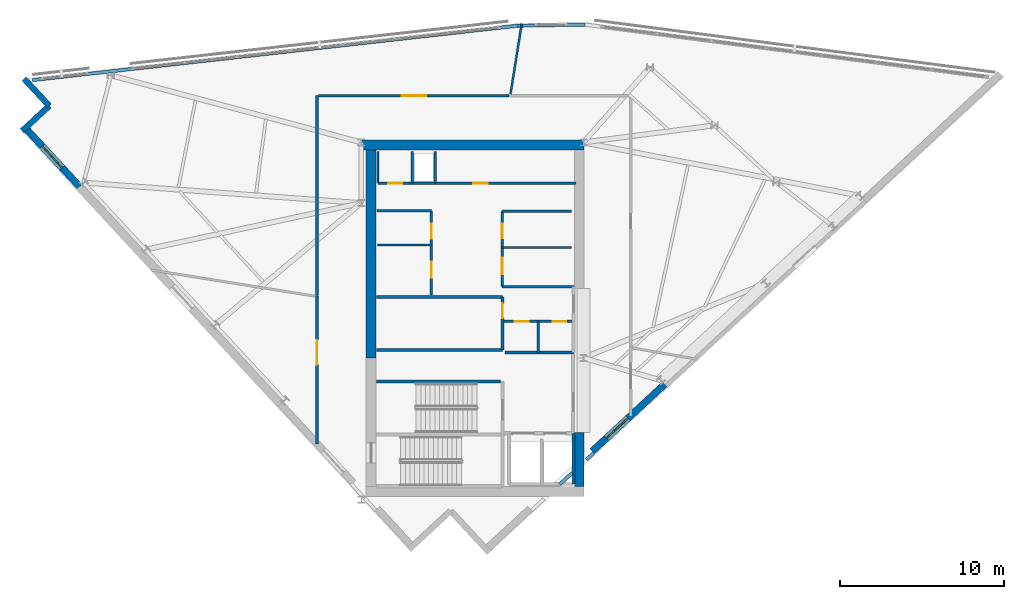
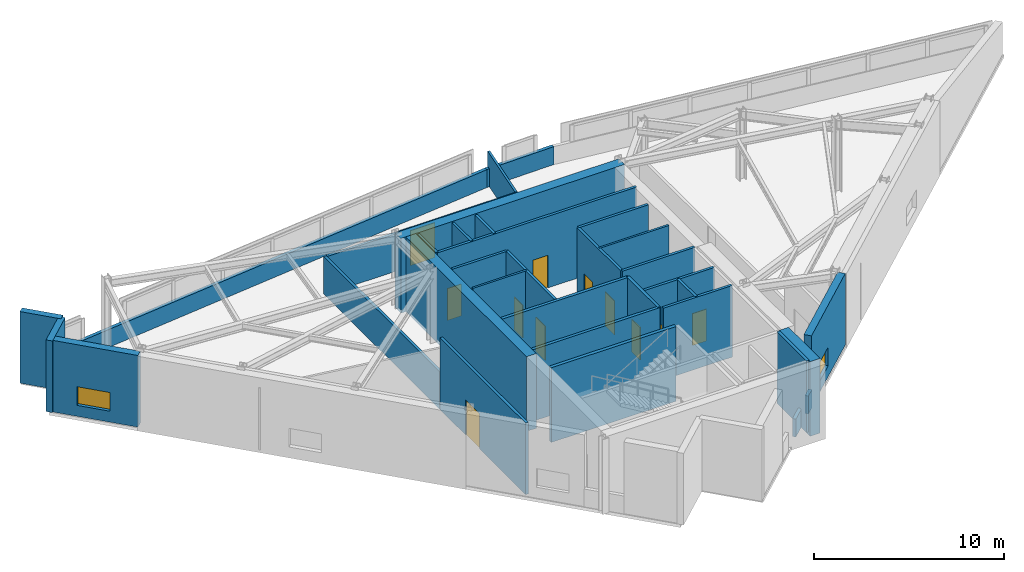
# One storey, part 9 of 12: 34 walls, 11 doors, 2 windows, 13 openings.
"""IFC4 building model written with IfcOpenShell, lengths in metres."""

from ifc_helpers import new_model, si_unit, direction, frame, frame_2d, origin, place, context, subcontext, project, spatial, polyline, rectangle, outline, extrude, material, layer, layer_set, type_object, element, fill, save


model = new_model("IFC4")

# Units and contexts
model_context = context("Model", 3, precision=1e-05, world=origin(), true_north=direction((0.0, 1.0)))
body_context = subcontext(model_context, "Body", "Model", "MODEL_VIEW")
ifc_project = project(units=[si_unit("LENGTHUNIT", "METRE"), si_unit("AREAUNIT", "SQUARE_METRE"), si_unit("VOLUMEUNIT", "CUBIC_METRE"), si_unit("PLANEANGLEUNIT", "RADIAN"), si_unit("MASSUNIT", "GRAM", prefix="KILO")], contexts=[model_context])

# Site, building, storey
site_placement = place(None, origin())
site = spatial("IfcSite", under=ifc_project, at=site_placement, CompositionType="ELEMENT")
building_placement = place(site_placement, origin())
building = spatial("IfcBuilding", under=site, at=building_placement, Name="Narakoshi Arena Tower", CompositionType="ELEMENT")
storey_placement = place(building_placement, frame((0.0, 0.0, 307.780029296875)))
storey = spatial("IfcBuildingStorey", under=building, at=storey_placement, Name="L83", CompositionType="ELEMENT", Elevation=307.780029296875)

# Walls
ifc_material_1 = material(Name="Concrete C50/60", Category="concrete")
ifc_layer_1 = layer(ifc_material_1, 0.60009765625)
ifc_layer_set_1 = layer_set([ifc_layer_1], Name="Concrete C50/60")
wall_type_1 = type_object("IfcWallType", Name="WL-CORE-600", PredefinedType="SHEAR", material=ifc_layer_set_1)
wall_1_placement = place(storey_placement, frame((85.300048828125, 35.5, -0.199951171875), z_axis=(0.0, 0.0, 1.0), x_axis=(0.0, 1.0, 0.0)))
element("IfcWall", 1, at=wall_1_placement, inside=storey, type_object=wall_type_1, Name="L83 Central Core Shear Wall CW-APX-E", PredefinedType="SHEAR", context=body_context, shape_type="SweptSolid", body=[
    extrude(rectangle(XDim=3.300048828125, YDim=0.60009765625, at=frame_2d((1.64990234375, 0.0))), origin(), (0.0, 0.0, 1.0), 4.7998046875),
])
wall_2_placement = place(storey_placement, frame((72.60009765625, 43.35009765625, -0.199951171875), z_axis=(0.0, 0.0, 1.0), x_axis=(0.0, 1.0, 0.0)))
element("IfcWall", 2, at=wall_2_placement, inside=storey, type_object=wall_type_1, Name="L83 Main Core Shear Wall CW-MN-W", PredefinedType="SHEAR", context=body_context, shape_type="SweptSolid", body=[
    extrude(rectangle(XDim=12.699951171875, YDim=0.60009765625, at=frame_2d((6.35009765625, 0.0))), origin(), (0.0, 0.0, 1.0), 4.7998046875),
])
wall_3_placement = place(storey_placement, frame((72.0, 56.35009765625, -0.199951171875), z_axis=(0.0, 0.0, 1.0), x_axis=(1.0, 0.0, 0.0)))
element("IfcWall", 3, at=wall_3_placement, inside=storey, type_object=wall_type_1, Name="L83 Main Core Shear Wall CW-MN-N", PredefinedType="SHEAR", context=body_context, shape_type="SweptSolid", body=[
    extrude(rectangle(XDim=13.60009765625, YDim=0.60009765625, at=frame_2d((6.800048828125, 0.0))), origin(), (0.0, 0.0, 1.0), 4.7998046875),
])

# Wall, opening, door
ifc_material_2 = material(Name="Gypsum plasterboard fire-rated partition")
ifc_layer_2 = layer(ifc_material_2, 0.1650390625)
ifc_layer_set_2 = layer_set([ifc_layer_2], Name="Gypsum plasterboard fire-rated partition")
wall_type_2 = type_object("IfcWallType", Name="WL-CORR-165", PredefinedType="PARTITIONING", material=ifc_layer_set_2)
wall_4_placement = place(storey_placement, frame((69.300048828125, 47.135009765625, 0.0), z_axis=(0.0, 0.0, 1.0), x_axis=(0.0, -1.0, 0.0)))
wall_4 = element("IfcWall", 4, at=wall_4_placement, inside=storey, type_object=wall_type_2, Name="L83 Corridor Partition 01-1", PredefinedType="PARTITIONING", context=body_context, shape_type="SweptSolid", body=[
    extrude(rectangle(XDim=9.02587890625, YDim=0.1650390625, at=frame_2d((4.512939453125, 0.0))), origin(), (0.0, 0.0, 1.0), 4.599853515625),
])
opening_1_placement = place(wall_4_placement, frame((2.694091796875, 0.0, 0.0)))
opening_1 = element("IfcOpeningElement", 5, at=opening_1_placement, cuts=wall_4, Name="Opening D-09", PredefinedType="OPENING", context=body_context, shape_type="SweptSolid", body=[
    extrude(rectangle(XDim=1.5, YDim=2.25, at=frame_2d((0.75, 1.125))), frame((0.0, 0.092529296875, 0.0), z_axis=(0.0, -1.0, 0.0), x_axis=(1.0, 0.0, 0.0)), (0.0, 0.0, 1.0), 0.18505859375),
])
ifc_material_3 = material(Name="Painted galvanized steel", Category="steel")
door_type_1 = type_object("IfcDoorType", Name="DR-PLT-1500", OperationType="DOUBLE_DOOR_SINGLE_SWING", PredefinedType="DOOR", material=ifc_material_3)
door_1_placement = place(opening_1_placement, frame((1.5, 0.0, 0.0), z_axis=(0.0, 0.0, 1.0), x_axis=(-1.0, 0.0, 0.0)))
door_1 = element("IfcDoor", 6, at=door_1_placement, inside=storey, type_object=door_type_1, Name="DR-L83-016", OperationType="DOUBLE_DOOR_SINGLE_SWING", OverallHeight=2.25, OverallWidth=1.5, PredefinedType="DOOR", context=body_context, shape_type="SweptSolid", body=[
    extrude(rectangle(XDim=1.5, YDim=2.25, at=frame_2d((0.75, 1.125))), frame((0.0, 0.02490234375, 0.0), z_axis=(0.0, -1.0, 0.0), x_axis=(1.0, 0.0, 0.0)), (0.0, 0.0, 1.0), 0.050048828125),
])
fill(opening_1, door_1)

# Wall
wall_5_placement = place(storey_placement, frame((69.300048828125, 59.35009765625, 0.0), z_axis=(0.0, 0.0, 1.0), x_axis=(0.0, -1.0, 0.0)))
element("IfcWall", 7, at=wall_5_placement, inside=storey, type_object=wall_type_2, Name="L83 Corridor Partition 04-1", PredefinedType="PARTITIONING", context=body_context, shape_type="SweptSolid", body=[
    extrude(rectangle(XDim=12.19091796875, YDim=0.1650390625, at=frame_2d((6.095458984375, 0.0))), origin(), (0.0, 0.0, 1.0), 2.41015625),
])

# Wall, opening, door
wall_6_placement = place(storey_placement, frame((81.027099609375, 59.35009765625, 0.0), z_axis=(0.0, 0.0, 1.0), x_axis=(-1.0, 0.0, 0.0)))
wall_6 = element("IfcWall", 8, at=wall_6_placement, inside=storey, type_object=wall_type_2, Name="L83 Corridor Partition 04-2", PredefinedType="PARTITIONING", context=body_context, shape_type="SweptSolid", body=[
    extrude(rectangle(XDim=11.632568359375, YDim=0.1650390625, at=frame_2d((5.81640625, 0.0))), origin(), (0.0, 0.0, 1.0), 2.41015625),
])
opening_2_placement = place(wall_6_placement, frame((5.06640625, 0.0, 0.0)))
opening_2 = element("IfcOpeningElement", 9, at=opening_2_placement, cuts=wall_6, Name="Opening D-09", PredefinedType="OPENING", context=body_context, shape_type="SweptSolid", body=[
    extrude(rectangle(XDim=1.5, YDim=2.25, at=frame_2d((0.75, 1.125))), frame((0.0, 0.092529296875, 0.0), z_axis=(0.0, -1.0, 0.0), x_axis=(1.0, 0.0, 0.0)), (0.0, 0.0, 1.0), 0.18505859375),
])
door_2_placement = place(opening_2_placement, frame((1.5, 0.0, 0.0), z_axis=(0.0, 0.0, 1.0), x_axis=(-1.0, 0.0, 0.0)))
door_2 = element("IfcDoor", 10, at=door_2_placement, inside=storey, type_object=door_type_1, Name="DR-L83-019", OperationType="DOUBLE_DOOR_SINGLE_SWING", OverallHeight=2.25, OverallWidth=1.5, PredefinedType="DOOR", context=body_context, shape_type="SweptSolid", body=[
    extrude(rectangle(XDim=1.5, YDim=2.25, at=frame_2d((0.75, 1.125))), frame((0.0, 0.02490234375, 0.0), z_axis=(0.0, -1.0, 0.0), x_axis=(1.0, 0.0, 0.0)), (0.0, 0.0, 1.0), 0.050048828125),
])
fill(opening_2, door_2)

# Walls
ifc_material_4 = material(Name="Precast concrete C45/55", Category="concrete")
ifc_layer_3 = layer(ifc_material_4, 0.25)
ifc_layer_set_3 = layer_set([ifc_layer_3], Name="Precast concrete C45/55")
wall_type_3 = type_object("IfcWallType", Name="WL-PARA-250", PredefinedType="PARAPET", material=ifc_layer_set_3)
wall_7_placement = place(storey_placement, frame((51.936279296875, 60.3037109375, 0.0), z_axis=(0.0, 0.0, 1.0), x_axis=(0.993776757355, 0.111390109707, 0.0)))
element("IfcWall", 11, at=wall_7_placement, inside=storey, type_object=wall_type_3, Name="L83 Crown Sill Upstand Parapet 03", PredefinedType="PARAPET", context=body_context, shape_type="SweptSolid", body=[
    extrude(rectangle(XDim=29.797119140625, YDim=0.199951171875, at=frame_2d((14.8984375, 0.0))), origin(), (0.0, 0.0, 1.0), 1.14990234375),
])
wall_8_placement = place(storey_placement, frame((81.5478515625, 63.622802734375, 0.0), z_axis=(0.0, 0.0, 1.0), x_axis=(0.999864385141, 0.016468494975, 0.0)))
element("IfcWall", 12, at=wall_8_placement, inside=storey, type_object=wall_type_3, Name="L83 Crown Sill Upstand Parapet 04", PredefinedType="PARAPET", context=body_context, shape_type="SweptSolid", body=[
    extrude(rectangle(XDim=4.091552734375, YDim=0.199951171875, at=frame_2d((2.0458984375, 0.0))), origin(), (0.0, 0.0, 1.0), 1.14990234375),
])
wall_9_placement = place(storey_placement, frame((86.191650390625, 37.56591796875, 0.0), z_axis=(0.0, 0.0, 1.0), x_axis=(-0.734346728958, -0.678774544064, 0.0)))
element("IfcWall", 13, at=wall_9_placement, inside=storey, type_object=wall_type_3, Name="L83 Crown Sill Upstand Parapet 06", PredefinedType="PARAPET", context=body_context, shape_type="SweptSolid", body=[
    extrude(rectangle(XDim=0.614990234375, YDim=0.199951171875, at=frame_2d((0.3076171875, 0.0))), origin(), (0.0, 0.0, 1.0), 1.14990234375),
])
wall_10_placement = place(storey_placement, frame((84.860107421875, 36.3349609375, 0.0), z_axis=(0.0, 0.0, 1.0), x_axis=(-0.734337093013, -0.678784968768, 0.0)))
element("IfcWall", 14, at=wall_10_placement, inside=storey, type_object=wall_type_3, Name="L83 Crown Sill Upstand Parapet 07", PredefinedType="PARAPET", context=body_context, shape_type="SweptSolid", body=[
    extrude(rectangle(XDim=1.02392578125, YDim=0.199951171875, at=frame_2d((0.511962890625, 0.0))), origin(), (0.0, 0.0, 1.0), 1.14990234375),
])
ifc_layer_4 = layer(ifc_material_2, 0.125)
ifc_layer_set_4 = layer_set([ifc_layer_4], Name="Gypsum plasterboard fire-rated partition")
wall_type_4 = type_object("IfcWallType", Name="WL-PART-125", PredefinedType="PARTITIONING", material=ifc_layer_set_4)
wall_11_placement = place(storey_placement, frame((73.0, 50.25, 0.0), z_axis=(0.0, 0.0, 1.0), x_axis=(1.0, 0.0, 0.0)))
element("IfcWall", 15, at=wall_11_placement, inside=storey, type_object=wall_type_4, Name="L83 Core Wall RCL-LR-D2", PredefinedType="PARTITIONING", context=body_context, shape_type="SweptSolid", body=[
    extrude(rectangle(XDim=3.280029296875, YDim=0.125, at=frame_2d((1.64013671875, 0.0))), origin(), (0.0, 0.0, 1.0), 4.599853515625),
])
wall_12_placement = place(storey_placement, frame((80.60009765625, 50.10009765625, 0.0), z_axis=(0.0, 0.0, 1.0), x_axis=(1.0, 0.0, 0.0)))
element("IfcWall", 16, at=wall_12_placement, inside=storey, type_object=wall_type_4, Name="L83 Core Wall RCL-MR-D", PredefinedType="PARTITIONING", context=body_context, shape_type="SweptSolid", body=[
    extrude(rectangle(XDim=4.219970703125, YDim=0.125, at=frame_2d((2.10986328125, 0.0))), origin(), (0.0, 0.0, 1.0), 4.599853515625),
])
wall_13_placement = place(storey_placement, frame((81.10302734375, 59.444580078125, 0.0), z_axis=(0.0, 0.0, 1.0), x_axis=(0.157403116277, 0.987534434329, 0.0)))
element("IfcWall", 17, at=wall_13_placement, inside=storey, type_object=wall_type_4, Name="L83 Inter-Room Partition 03-04", PredefinedType="PARTITIONING", context=body_context, shape_type="SweptSolid", body=[
    extrude(rectangle(XDim=4.376953125, YDim=0.125, at=frame_2d((2.1884765625, 0.0))), origin(), (0.0, 0.0, 1.0), 2.119873046875),
])

# Wall, opening, window
ifc_layer_5 = layer(ifc_material_4, 0.419921875)
ifc_layer_set_5 = layer_set([ifc_layer_5], Name="Precast concrete C45/55")
wall_type_5 = type_object("IfcWallType", Name="WL-POD-420", PredefinedType="SOLIDWALL", material=ifc_layer_set_5)
wall_14_placement = place(storey_placement, frame((86.10009765625, 37.6650390625, 0.0), z_axis=(0.0, 0.0, 1.0), x_axis=(0.734321413343, 0.678801931277, 0.0)))
wall_14 = element("IfcWall", 18, at=wall_14_placement, inside=storey, type_object=wall_type_5, Name="L83 Architectural Concrete Facade Wall LEGA-2", PredefinedType="SOLIDWALL", context=body_context, shape_type="SweptSolid", body=[
    extrude(outline(polyline([(0.0, 0.0), (6.00244140625, 0.0), (6.00244140625, 4.599853515625), (0.0, 4.599853515625), (0.0, 0.0)])), frame((0.0, 0.2099609375, 0.0), z_axis=(0.0, -1.0, 0.0), x_axis=(1.0, 0.0, 0.0)), (0.0, 0.0, 1.0), 0.419921875),
])
opening_3_placement = place(wall_14_placement, frame((1.169189453125, 0.0, 0.699951171875)))
opening_3 = element("IfcOpeningElement", 19, at=opening_3_placement, cuts=wall_14, Name="Opening WN-05", PredefinedType="OPENING", context=body_context, shape_type="SweptSolid", body=[
    extrude(rectangle(XDim=1.800048828125, YDim=1.199951171875, at=frame_2d((0.89990234375, 0.60009765625))), frame((0.0, 0.219970703125, 0.0), z_axis=(0.0, -1.0, 0.0), x_axis=(1.0, 0.0, 0.0)), (0.0, 0.0, 1.0), 0.43994140625),
])
ifc_material_5 = material(Name="Bronze-tinted low-E laminated glass", Category="glass")
window_type = type_object("IfcWindowType", Name="WIN-SLT-18x12", PartitioningType="SINGLE_PANEL", PredefinedType="WINDOW", material=ifc_material_5)
window_1_placement = place(opening_3_placement, origin())
window_1 = element("IfcWindow", 20, at=window_1_placement, inside=storey, type_object=window_type, Name="L83 LEGA2 Horizontal Slot Window 1", OverallHeight=1.199951171875, OverallWidth=1.800048828125, PartitioningType="SINGLE_PANEL", PredefinedType="WINDOW", context=body_context, shape_type="SweptSolid", body=[
    extrude(rectangle(XDim=1.800048828125, YDim=1.199951171875, at=frame_2d((0.89990234375, 0.60009765625))), frame((0.0, 0.030029296875, 0.0), z_axis=(0.0, -1.0, 0.0), x_axis=(1.0, 0.0, 0.0)), (0.0, 0.0, 1.0), 0.06005859375),
])
fill(opening_3, window_1)

wall_15_placement = place(storey_placement, frame((51.5, 57.38720703125, 0.0), z_axis=(0.0, 0.0, 1.0), x_axis=(0.67880684669, -0.734316869537, 0.0)))
wall_15 = element("IfcWall", 21, at=wall_15_placement, inside=storey, type_object=wall_type_5, Name="L83 Architectural Concrete Facade Wall LEGB-1", PredefinedType="SOLIDWALL", context=body_context, shape_type="SweptSolid", body=[
    extrude(outline(polyline([(0.0, 0.0), (4.86865234375, 0.0), (4.868408203125, 4.599853515625), (0.0, 4.599853515625), (0.0, 0.0)])), frame((0.0, 0.2099609375, 0.0), z_axis=(0.0, -1.0, 0.0), x_axis=(1.0, 0.0, 0.0)), (0.0, 0.0, 1.0), 0.419921875),
])
opening_4_placement = place(wall_15_placement, frame((1.51708984375, 0.0, 0.699951171875)))
opening_4 = element("IfcOpeningElement", 22, at=opening_4_placement, cuts=wall_15, Name="Opening WN-05", PredefinedType="OPENING", context=body_context, shape_type="SweptSolid", body=[
    extrude(rectangle(XDim=1.800048828125, YDim=1.199951171875, at=frame_2d((0.89990234375, 0.60009765625))), frame((0.0, 0.219970703125, 0.0), z_axis=(0.0, -1.0, 0.0), x_axis=(1.0, 0.0, 0.0)), (0.0, 0.0, 1.0), 0.43994140625),
])
window_2_placement = place(opening_4_placement, origin())
window_2 = element("IfcWindow", 23, at=window_2_placement, inside=storey, type_object=window_type, Name="L83 LEGB1 Horizontal Slot Window 1", OverallHeight=1.199951171875, OverallWidth=1.800048828125, PartitioningType="SINGLE_PANEL", PredefinedType="WINDOW", context=body_context, shape_type="SweptSolid", body=[
    extrude(rectangle(XDim=1.800048828125, YDim=1.199951171875, at=frame_2d((0.89990234375, 0.60009765625))), frame((0.0, 0.030029296875, 0.0), z_axis=(0.0, -1.0, 0.0), x_axis=(1.0, 0.0, 0.0)), (0.0, 0.0, 1.0), 0.06005859375),
])
fill(opening_4, window_2)

# Walls
for number, where, z_axis, x_axis, name in (
    (24, (51.42333984375, 60.38720703125, 0.0), (0.0, 0.0, 1.0), (0.678792531533, -0.734330102294, 0.0), "L83 Re-Entrant Corner Notch Wall NTN-1"),
    (25, (52.9541015625, 58.731201171875, 0.0), (0.0, 0.0, 1.0), (-0.734330102294, -0.678792531533, 0.0), "L83 Re-Entrant Corner Notch Wall NTN-2"),
):
    element("IfcWall", number, at=place(storey_placement, frame(where, z_axis=z_axis, x_axis=x_axis)), inside=storey, type_object=wall_type_5, Name=name, PredefinedType="SOLIDWALL", context=body_context, shape_type="SweptSolid", body=[
        extrude(rectangle(XDim=2.255126953125, YDim=0.360107421875, at=frame_2d((1.12744140625, 0.0))), origin(), (0.0, 0.0, 1.0), 4.599853515625),
    ])
ifc_material_6 = material(Name="Concrete C40/50", Category="concrete")
ifc_layer_6 = layer(ifc_material_6, 0.280029296875)
ifc_layer_set_6 = layer_set([ifc_layer_6], Name="Concrete C40/50")
wall_type_6 = type_object("IfcWallType", Name="WL-RISER-280", PredefinedType="PLUMBINGWALL", material=ifc_layer_set_6)
wall_16_placement = place(storey_placement, frame((72.919921875, 43.830078125, 0.0), z_axis=(0.0, 0.0, 1.0), x_axis=(1.0, 0.0, 0.0)))
element("IfcWall", 26, at=wall_16_placement, inside=storey, type_object=wall_type_6, Name="L83 Core Wall CST-S", PredefinedType="PLUMBINGWALL", context=body_context, shape_type="SweptSolid", body=[
    extrude(rectangle(XDim=7.7001953125, YDim=0.179931640625, at=frame_2d((3.85009765625, 0.0))), origin(), (0.0, 0.0, 1.0), 4.599853515625),
])

# Wall, opening, door
wall_17_placement = place(storey_placement, frame((80.6201171875, 43.830078125, 0.0), z_axis=(0.0, 0.0, 1.0), x_axis=(0.0, 1.0, 0.0)))
wall_17 = element("IfcWall", 27, at=wall_17_placement, inside=storey, type_object=wall_type_6, Name="L83 Core Wall CST-E", PredefinedType="PLUMBINGWALL", context=body_context, shape_type="SweptSolid", body=[
    extrude(rectangle(XDim=3.239990234375, YDim=0.179931640625, at=frame_2d((1.6201171875, 0.0))), origin(), (0.0, 0.0, 1.0), 4.599853515625),
])
opening_5_placement = place(wall_17_placement, frame((1.949951171875, 0.0, 0.0)))
opening_5 = element("IfcOpeningElement", 28, at=opening_5_placement, cuts=wall_17, Name="Opening D-08", PredefinedType="OPENING", context=body_context, shape_type="SweptSolid", body=[
    extrude(rectangle(XDim=0.89990234375, YDim=2.10009765625, at=frame_2d((0.449951171875, 1.050048828125))), frame((0.0, 0.099853515625, 0.0), z_axis=(0.0, -1.0, 0.0), x_axis=(1.0, 0.0, 0.0)), (0.0, 0.0, 1.0), 0.199951171875),
])
ifc_material_7 = material(Name="Moisture-resistant laminate timber", Category="wood")
door_type_2 = type_object("IfcDoorType", Name="DR-WC-900", OperationType="NOTDEFINED", PredefinedType="DOOR", material=ifc_material_7)
door_3_placement = place(opening_5_placement, frame((0.89990234375, 0.0, 0.0), z_axis=(0.0, 0.0, 1.0), x_axis=(-1.0, 0.0, 0.0)))
door_3 = element("IfcDoor", 29, at=door_3_placement, inside=storey, type_object=door_type_2, Name="DR-L83-006", OperationType="SINGLE_SWING_RIGHT", OverallHeight=2.10009765625, OverallWidth=0.89990234375, PredefinedType="DOOR", context=body_context, shape_type="SweptSolid", body=[
    extrude(rectangle(XDim=0.89990234375, YDim=2.10009765625, at=frame_2d((0.449951171875, 1.050048828125))), frame((0.0, 0.02490234375, 0.0), z_axis=(0.0, -1.0, 0.0), x_axis=(1.0, 0.0, 0.0)), (0.0, 0.0, 1.0), 0.050048828125),
])
fill(opening_5, door_3)

# Wall
wall_18_placement = place(storey_placement, frame((72.919921875, 47.070068359375, 0.0), z_axis=(0.0, 0.0, 1.0), x_axis=(1.0, 0.0, 0.0)))
element("IfcWall", 30, at=wall_18_placement, inside=storey, type_object=wall_type_6, Name="L83 Core Wall CST-N", PredefinedType="PLUMBINGWALL", context=body_context, shape_type="SweptSolid", body=[
    extrude(rectangle(XDim=7.7001953125, YDim=0.179931640625, at=frame_2d((3.85009765625, 0.0))), origin(), (0.0, 0.0, 1.0), 4.599853515625),
])

# Wall, openings, doors
wall_19_placement = place(storey_placement, frame((80.719970703125, 45.580078125, 0.0), z_axis=(0.0, 0.0, 1.0), x_axis=(1.0, 0.0, 0.0)))
wall_19 = element("IfcWall", 31, at=wall_19_placement, inside=storey, type_object=wall_type_6, Name="L83 Core Wall RSR-N", PredefinedType="PLUMBINGWALL", context=body_context, shape_type="SweptSolid", body=[
    extrude(rectangle(XDim=4.22998046875, YDim=0.159912109375, at=frame_2d((2.114990234375, 0.0))), origin(), (0.0, 0.0, 1.0), 4.599853515625),
])
opening_6_placement = place(wall_19_placement, frame((0.64990234375, 0.0, 0.0)))
opening_6 = element("IfcOpeningElement", 32, at=opening_6_placement, cuts=wall_19, Name="Opening D-10", PredefinedType="OPENING", context=body_context, shape_type="SweptSolid", body=[
    extrude(rectangle(XDim=0.85009765625, YDim=2.050048828125, at=frame_2d((0.425048828125, 1.02490234375))), frame((0.0, 0.08984375, 0.0), z_axis=(0.0, -1.0, 0.0), x_axis=(1.0, 0.0, 0.0)), (0.0, 0.0, 1.0), 0.179931640625),
])
opening_7_placement = place(wall_19_placement, frame((2.949951171875, 0.0, 0.0)))
opening_7 = element("IfcOpeningElement", 33, at=opening_7_placement, cuts=wall_19, Name="Opening D-10", PredefinedType="OPENING", context=body_context, shape_type="SweptSolid", body=[
    extrude(rectangle(XDim=0.85009765625, YDim=2.050048828125, at=frame_2d((0.425048828125, 1.02490234375))), frame((0.0, 0.08984375, 0.0), z_axis=(0.0, -1.0, 0.0), x_axis=(1.0, 0.0, 0.0)), (0.0, 0.0, 1.0), 0.179931640625),
])
door_type_3 = type_object("IfcDoorType", Name="DR-RSR-850", OperationType="NOTDEFINED", PredefinedType="DOOR", material=ifc_material_3)
door_4_placement = place(opening_6_placement, frame((0.85009765625, 0.0, 0.0), z_axis=(0.0, 0.0, 1.0), x_axis=(-1.0, 0.0, 0.0)))
door_4 = element("IfcDoor", 34, at=door_4_placement, inside=storey, type_object=door_type_3, Name="DR-L83-008", OperationType="SINGLE_SWING_LEFT", OverallHeight=2.050048828125, OverallWidth=0.85009765625, PredefinedType="DOOR", context=body_context, shape_type="SweptSolid", body=[
    extrude(rectangle(XDim=0.85009765625, YDim=2.050048828125, at=frame_2d((0.425048828125, 1.02490234375))), frame((0.0, 0.02490234375, 0.0), z_axis=(0.0, -1.0, 0.0), x_axis=(1.0, 0.0, 0.0)), (0.0, 0.0, 1.0), 0.050048828125),
])
fill(opening_6, door_4)
door_5_placement = place(opening_7_placement, frame((0.85009765625, 0.0, 0.0), z_axis=(0.0, 0.0, 1.0), x_axis=(-1.0, 0.0, 0.0)))
door_5 = element("IfcDoor", 35, at=door_5_placement, inside=storey, type_object=door_type_3, Name="DR-L83-009", OperationType="SINGLE_SWING_RIGHT", OverallHeight=2.050048828125, OverallWidth=0.85009765625, PredefinedType="DOOR", context=body_context, shape_type="SweptSolid", body=[
    extrude(rectangle(XDim=0.85009765625, YDim=2.050048828125, at=frame_2d((0.425048828125, 1.02490234375))), frame((0.0, 0.02490234375, 0.0), z_axis=(0.0, -1.0, 0.0), x_axis=(1.0, 0.0, 0.0)), (0.0, 0.0, 1.0), 0.050048828125),
])
fill(opening_7, door_5)

# Walls
wall_20_placement = place(storey_placement, frame((80.760009765625, 43.679931640625, 0.0), z_axis=(0.0, 0.0, 1.0), x_axis=(1.0, 0.0, 0.0)))
element("IfcWall", 36, at=wall_20_placement, inside=storey, type_object=wall_type_6, Name="L83 Core Wall RSR-S", PredefinedType="PLUMBINGWALL", context=body_context, shape_type="SweptSolid", body=[
    extrude(rectangle(XDim=4.18994140625, YDim=0.159912109375, at=frame_2d((2.094970703125, 0.0))), origin(), (0.0, 0.0, 1.0), 4.599853515625),
])
wall_21_placement = place(storey_placement, frame((82.800048828125, 43.679931640625, 0.0), z_axis=(0.0, 0.0, 1.0), x_axis=(0.0, 1.0, 0.0)))
element("IfcWall", 37, at=wall_21_placement, inside=storey, type_object=wall_type_6, Name="L83 Core Wall RSR-M", PredefinedType="PLUMBINGWALL", context=body_context, shape_type="SweptSolid", body=[
    extrude(rectangle(XDim=1.900146484375, YDim=0.159912109375, at=frame_2d((0.9501953125, 0.0))), origin(), (0.0, 0.0, 1.0), 4.599853515625),
])
for number, where, z_axis, x_axis, name in (
    (38, (73.02001953125, 54.02001953125, 0.0), (0.0, 0.0, 1.0), (0.0, 1.0, 0.0), "L83 Core Wall OBS-W"),
    (39, (75.1201171875, 54.02001953125, 0.0), (0.0, 0.0, 1.0), (0.0, 1.0, 0.0), "L83 Core Wall OBS-M"),
    (40, (76.52001953125, 54.02001953125, 0.0), (0.0, 0.0, 1.0), (0.0, 1.0, 0.0), "L83 Core Wall OBS-E"),
):
    element("IfcWall", number, at=place(storey_placement, frame(where, z_axis=z_axis, x_axis=x_axis)), inside=storey, type_object=wall_type_6, Name=name, PredefinedType="PLUMBINGWALL", context=body_context, shape_type="SweptSolid", body=[
        extrude(rectangle(XDim=1.93994140625, YDim=0.14990234375, at=frame_2d((0.969970703125, 0.0))), origin(), (0.0, 0.0, 1.0), 4.599853515625),
    ])
ifc_layer_7 = layer(ifc_material_1, 0.35009765625)
ifc_layer_set_7 = layer_set([ifc_layer_7], Name="Concrete C50/60")
wall_type_7 = type_object("IfcWallType", Name="WL-SHAFT-350", PredefinedType="SOLIDWALL", material=ifc_layer_set_7)
wall_22_placement = place(storey_placement, frame((84.949951171875, 35.64990234375, 0.0), z_axis=(0.0, 0.0, 1.0), x_axis=(0.0, 1.0, 0.0)))
element("IfcWall", 41, at=wall_22_placement, inside=storey, type_object=wall_type_7, Name="L83 Core Wall FF-E", PredefinedType="SOLIDWALL", context=body_context, shape_type="SweptSolid", body=[
    extrude(rectangle(XDim=3.10009765625, YDim=0.179931640625, at=frame_2d((1.550048828125, 0.0))), origin(), (0.0, 0.0, 1.0), 4.599853515625),
])
wall_23_placement = place(storey_placement, frame((72.919921875, 41.919921875, -0.199951171875), z_axis=(0.0, 0.0, 1.0), x_axis=(1.0, 0.0, 0.0)))
element("IfcWall", 42, at=wall_23_placement, inside=storey, type_object=wall_type_7, Name="L83 Core Wall ST2-N", PredefinedType="SOLIDWALL", context=body_context, shape_type="SweptSolid", body=[
    extrude(rectangle(XDim=7.580078125, YDim=0.199951171875, at=frame_2d((3.7900390625, 0.0))), origin(), (0.0, 0.0, 1.0), 4.7998046875),
])

# Wall, openings, doors
wall_24_placement = place(storey_placement, frame((76.280029296875, 47.179931640625, 0.0), z_axis=(0.0, 0.0, 1.0), x_axis=(0.0, 1.0, 0.0)))
wall_24 = element("IfcWall", 43, at=wall_24_placement, inside=storey, type_object=wall_type_7, Name="L83 Core Wall LR-E", PredefinedType="SOLIDWALL", context=body_context, shape_type="SweptSolid", body=[
    extrude(rectangle(XDim=5.14013671875, YDim=0.159912109375, at=frame_2d((2.570068359375, 0.0))), origin(), (0.0, 0.0, 1.0), 4.599853515625),
])
opening_8_placement = place(wall_24_placement, frame((1.050048828125, 0.0, 0.0)))
opening_8 = element("IfcOpeningElement", 44, at=opening_8_placement, cuts=wall_24, Name="Opening D-06", PredefinedType="OPENING", context=body_context, shape_type="SweptSolid", body=[
    extrude(rectangle(XDim=1.0, YDim=2.199951171875, at=frame_2d((0.5, 1.10009765625))), frame((0.0, 0.08984375, 0.0), z_axis=(0.0, -1.0, 0.0), x_axis=(1.0, 0.0, 0.0)), (0.0, 0.0, 1.0), 0.179931640625),
])
opening_9_placement = place(wall_24_placement, frame((3.449951171875, 0.0, 0.0)))
opening_9 = element("IfcOpeningElement", 45, at=opening_9_placement, cuts=wall_24, Name="Opening D-08", PredefinedType="OPENING", context=body_context, shape_type="SweptSolid", body=[
    extrude(rectangle(XDim=0.89990234375, YDim=2.10009765625, at=frame_2d((0.449951171875, 1.050048828125))), frame((0.0, 0.08984375, 0.0), z_axis=(0.0, -1.0, 0.0), x_axis=(1.0, 0.0, 0.0)), (0.0, 0.0, 1.0), 0.179931640625),
])
ifc_material_8 = material(Name="Stained oak solid-core timber", Category="wood")
door_type_4 = type_object("IfcDoorType", Name="DR-OFF-1000", OperationType="NOTDEFINED", PredefinedType="DOOR", material=ifc_material_8)
door_6_placement = place(opening_8_placement, frame((1.0, 0.0, 0.0), z_axis=(0.0, 0.0, 1.0), x_axis=(-1.0, 0.0, 0.0)))
door_6 = element("IfcDoor", 46, at=door_6_placement, inside=storey, type_object=door_type_4, Name="DR-L83-010", OperationType="SINGLE_SWING_RIGHT", OverallHeight=2.199951171875, OverallWidth=1.0, PredefinedType="DOOR", context=body_context, shape_type="SweptSolid", body=[
    extrude(rectangle(XDim=1.0, YDim=2.199951171875, at=frame_2d((0.5, 1.10009765625))), frame((0.0, 0.02490234375, 0.0), z_axis=(0.0, -1.0, 0.0), x_axis=(1.0, 0.0, 0.0)), (0.0, 0.0, 1.0), 0.050048828125),
])
fill(opening_8, door_6)
door_7_placement = place(opening_9_placement, frame((0.89990234375, 0.0, 0.0), z_axis=(0.0, 0.0, 1.0), x_axis=(-1.0, 0.0, 0.0)))
door_7 = element("IfcDoor", 47, at=door_7_placement, inside=storey, type_object=door_type_2, Name="DR-L83-011", OperationType="SINGLE_SWING_LEFT", OverallHeight=2.10009765625, OverallWidth=0.89990234375, PredefinedType="DOOR", context=body_context, shape_type="SweptSolid", body=[
    extrude(rectangle(XDim=0.89990234375, YDim=2.10009765625, at=frame_2d((0.449951171875, 1.050048828125))), frame((0.0, 0.02490234375, 0.0), z_axis=(0.0, -1.0, 0.0), x_axis=(1.0, 0.0, 0.0)), (0.0, 0.0, 1.0), 0.050048828125),
])
fill(opening_9, door_7)

# Wall
wall_25_placement = place(storey_placement, frame((72.949951171875, 52.320068359375, 0.0), z_axis=(0.0, 0.0, 1.0), x_axis=(1.0, 0.0, 0.0)))
element("IfcWall", 48, at=wall_25_placement, inside=storey, type_object=wall_type_7, Name="L83 Core Wall LR-N", PredefinedType="SOLIDWALL", context=body_context, shape_type="SweptSolid", body=[
    extrude(rectangle(XDim=3.330078125, YDim=0.14990234375, at=frame_2d((1.6650390625, 0.0))), origin(), (0.0, 0.0, 1.0), 4.599853515625),
])

# Wall, openings, doors
wall_26_placement = place(storey_placement, frame((80.60009765625, 47.699951171875, 0.0), z_axis=(0.0, 0.0, 1.0), x_axis=(0.0, 1.0, 0.0)))
wall_26 = element("IfcWall", 49, at=wall_26_placement, inside=storey, type_object=wall_type_7, Name="L83 Core Wall MR-W", PredefinedType="SOLIDWALL", context=body_context, shape_type="SweptSolid", body=[
    extrude(rectangle(XDim=4.60009765625, YDim=0.159912109375, at=frame_2d((2.300048828125, 0.0))), origin(), (0.0, 0.0, 1.0), 4.599853515625),
])
opening_10_placement = place(wall_26_placement, frame((0.75, 0.0, 0.0)))
opening_10 = element("IfcOpeningElement", 50, at=opening_10_placement, cuts=wall_26, Name="Opening D-06", PredefinedType="OPENING", context=body_context, shape_type="SweptSolid", body=[
    extrude(rectangle(XDim=1.0, YDim=2.199951171875, at=frame_2d((0.5, 1.10009765625))), frame((0.0, 0.08984375, 0.0), z_axis=(0.0, -1.0, 0.0), x_axis=(1.0, 0.0, 0.0)), (0.0, 0.0, 1.0), 0.179931640625),
])
opening_11_placement = place(wall_26_placement, frame((2.949951171875, 0.0, 0.0)))
opening_11 = element("IfcOpeningElement", 51, at=opening_11_placement, cuts=wall_26, Name="Opening D-08", PredefinedType="OPENING", context=body_context, shape_type="SweptSolid", body=[
    extrude(rectangle(XDim=0.89990234375, YDim=2.10009765625, at=frame_2d((0.449951171875, 1.050048828125))), frame((0.0, 0.08984375, 0.0), z_axis=(0.0, -1.0, 0.0), x_axis=(1.0, 0.0, 0.0)), (0.0, 0.0, 1.0), 0.179931640625),
])
door_8_placement = place(opening_10_placement, origin())
door_8 = element("IfcDoor", 52, at=door_8_placement, inside=storey, type_object=door_type_4, Name="DR-L83-012", OperationType="SINGLE_SWING_RIGHT", OverallHeight=2.199951171875, OverallWidth=1.0, PredefinedType="DOOR", context=body_context, shape_type="SweptSolid", body=[
    extrude(rectangle(XDim=1.0, YDim=2.199951171875, at=frame_2d((0.5, 1.10009765625))), frame((0.0, 0.02490234375, 0.0), z_axis=(0.0, -1.0, 0.0), x_axis=(1.0, 0.0, 0.0)), (0.0, 0.0, 1.0), 0.050048828125),
])
fill(opening_10, door_8)
door_9_placement = place(opening_11_placement, origin())
door_9 = element("IfcDoor", 53, at=door_9_placement, inside=storey, type_object=door_type_2, Name="DR-L83-013", OperationType="SINGLE_SWING_LEFT", OverallHeight=2.10009765625, OverallWidth=0.89990234375, PredefinedType="DOOR", context=body_context, shape_type="SweptSolid", body=[
    extrude(rectangle(XDim=0.89990234375, YDim=2.10009765625, at=frame_2d((0.449951171875, 1.050048828125))), frame((0.0, 0.02490234375, 0.0), z_axis=(0.0, -1.0, 0.0), x_axis=(1.0, 0.0, 0.0)), (0.0, 0.0, 1.0), 0.050048828125),
])
fill(opening_11, door_9)

# Walls
wall_27_placement = place(storey_placement, frame((80.60009765625, 47.699951171875, 0.0), z_axis=(0.0, 0.0, 1.0), x_axis=(1.0, 0.0, 0.0)))
element("IfcWall", 54, at=wall_27_placement, inside=storey, type_object=wall_type_7, Name="L83 Core Wall MR-S", PredefinedType="SOLIDWALL", context=body_context, shape_type="SweptSolid", body=[
    extrude(rectangle(XDim=4.39990234375, YDim=0.159912109375, at=frame_2d((2.199951171875, 0.0))), origin(), (0.0, 0.0, 1.0), 4.599853515625),
])
wall_28_placement = place(storey_placement, frame((80.60009765625, 52.300048828125, 0.0), z_axis=(0.0, 0.0, 1.0), x_axis=(1.0, 0.0, 0.0)))
element("IfcWall", 55, at=wall_28_placement, inside=storey, type_object=wall_type_7, Name="L83 Core Wall MR-N", PredefinedType="SOLIDWALL", context=body_context, shape_type="SweptSolid", body=[
    extrude(rectangle(XDim=4.219970703125, YDim=0.159912109375, at=frame_2d((2.10986328125, 0.0))), origin(), (0.0, 0.0, 1.0), 4.599853515625),
])

# Wall, openings, doors
wall_29_placement = place(storey_placement, frame((73.02001953125, 54.02001953125, 0.0), z_axis=(0.0, 0.0, 1.0), x_axis=(1.0, 0.0, 0.0)))
wall_29 = element("IfcWall", 56, at=wall_29_placement, inside=storey, type_object=wall_type_7, Name="L83 Core Wall NSHF-S", PredefinedType="SOLIDWALL", context=body_context, shape_type="SweptSolid", body=[
    extrude(rectangle(XDim=12.080078125, YDim=0.159912109375, at=frame_2d((6.0400390625, 0.0))), origin(), (0.0, 0.0, 1.0), 4.599853515625),
])
opening_12_placement = place(wall_29_placement, frame((0.6201171875, 0.0, 0.0)))
opening_12 = element("IfcOpeningElement", 57, at=opening_12_placement, cuts=wall_29, Name="Opening D-10", PredefinedType="OPENING", context=body_context, shape_type="SweptSolid", body=[
    extrude(rectangle(XDim=0.85009765625, YDim=2.050048828125, at=frame_2d((0.425048828125, 1.02490234375))), frame((0.0, 0.08984375, 0.0), z_axis=(0.0, -1.0, 0.0), x_axis=(1.0, 0.0, 0.0)), (0.0, 0.0, 1.0), 0.179931640625),
])
opening_13_placement = place(wall_29_placement, frame((5.800048828125, 0.0, 0.0)))
opening_13 = element("IfcOpeningElement", 58, at=opening_13_placement, cuts=wall_29, Name="Opening D-08", PredefinedType="OPENING", context=body_context, shape_type="SweptSolid", body=[
    extrude(rectangle(XDim=0.89990234375, YDim=2.10009765625, at=frame_2d((0.449951171875, 1.050048828125))), frame((0.0, 0.08984375, 0.0), z_axis=(0.0, -1.0, 0.0), x_axis=(1.0, 0.0, 0.0)), (0.0, 0.0, 1.0), 0.179931640625),
])
door_10_placement = place(opening_12_placement, origin())
door_10 = element("IfcDoor", 59, at=door_10_placement, inside=storey, type_object=door_type_3, Name="DR-L83-014", OperationType="SINGLE_SWING_LEFT", OverallHeight=2.050048828125, OverallWidth=0.85009765625, PredefinedType="DOOR", context=body_context, shape_type="SweptSolid", body=[
    extrude(rectangle(XDim=0.85009765625, YDim=2.050048828125, at=frame_2d((0.425048828125, 1.02490234375))), frame((0.0, 0.02490234375, 0.0), z_axis=(0.0, -1.0, 0.0), x_axis=(1.0, 0.0, 0.0)), (0.0, 0.0, 1.0), 0.050048828125),
])
fill(opening_12, door_10)
door_11_placement = place(opening_13_placement, origin())
door_11 = element("IfcDoor", 60, at=door_11_placement, inside=storey, type_object=door_type_2, Name="DR-L83-015", OperationType="SINGLE_SWING_LEFT", OverallHeight=2.10009765625, OverallWidth=0.89990234375, PredefinedType="DOOR", context=body_context, shape_type="SweptSolid", body=[
    extrude(rectangle(XDim=0.89990234375, YDim=2.10009765625, at=frame_2d((0.449951171875, 1.050048828125))), frame((0.0, 0.02490234375, 0.0), z_axis=(0.0, -1.0, 0.0), x_axis=(1.0, 0.0, 0.0)), (0.0, 0.0, 1.0), 0.050048828125),
])
fill(opening_13, door_11)

save(model, "model.ifc")
